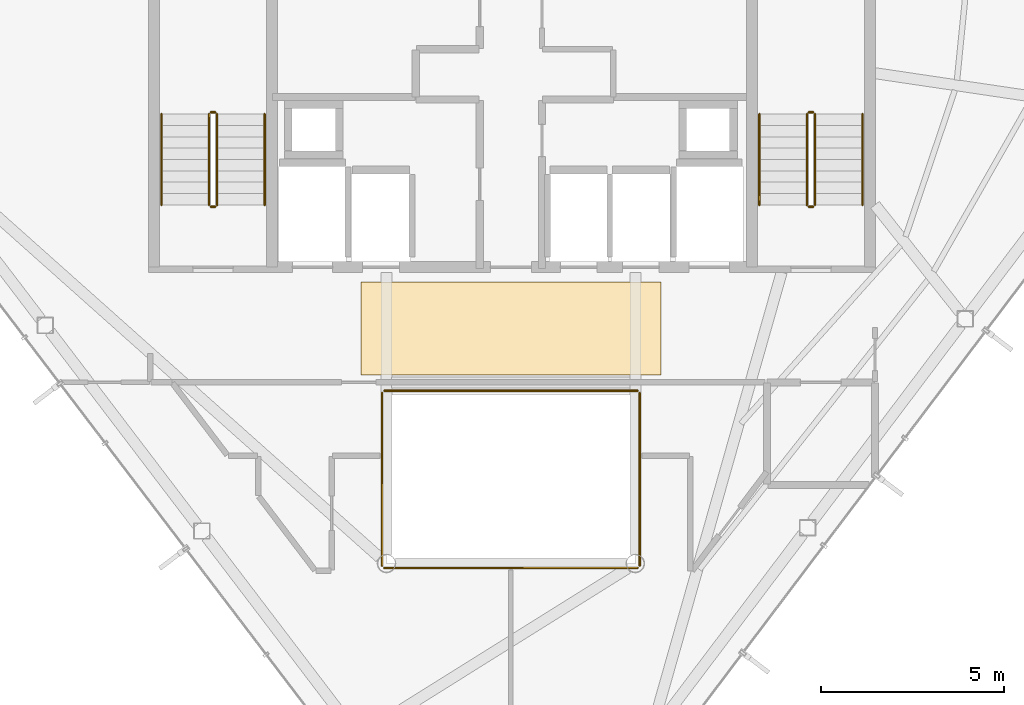
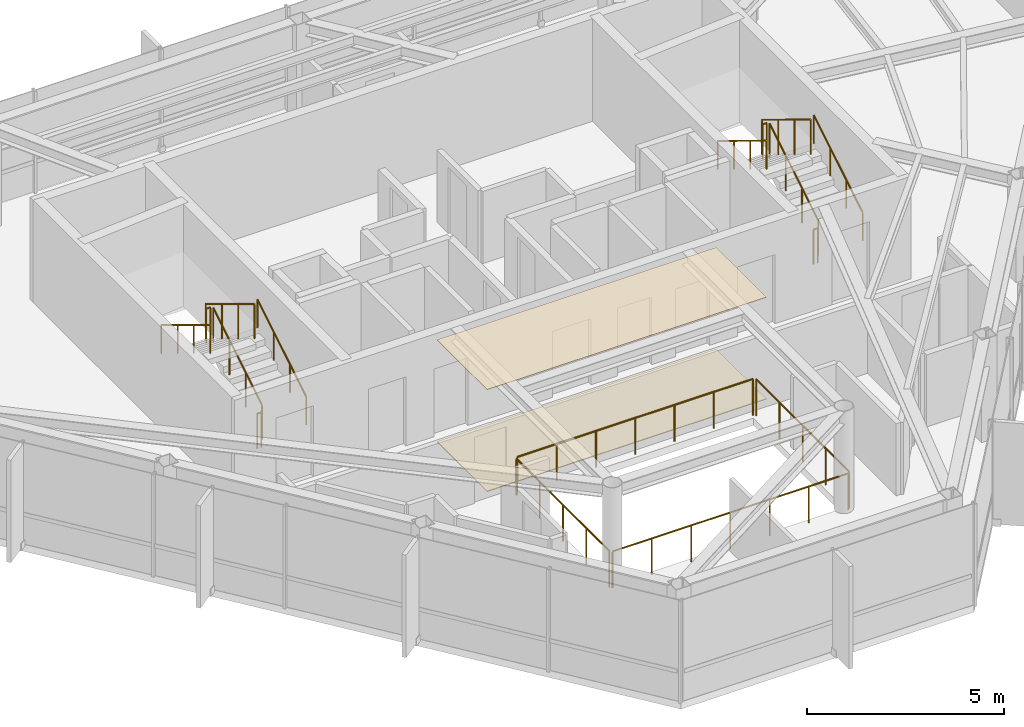
# One storey, part 23 of 23: 16 railings, 2 coverings.
"""IFC4 building model written with IfcOpenShell, lengths in metres."""

from ifc_helpers import new_model, si_unit, direction, frame, origin, origin_2d, place, context, subcontext, project, spatial, polyline, circle, outline, extrude, material, layer, layer_set, type_object, element, save


model = new_model("IFC4")

# Units and contexts
model_context = context("Model", 3, precision=1e-05, world=origin(), true_north=direction((0.0, 1.0)))
body_context = subcontext(model_context, "Body", "Model", "MODEL_VIEW")
ifc_project = project(units=[si_unit("LENGTHUNIT", "METRE"), si_unit("AREAUNIT", "SQUARE_METRE"), si_unit("VOLUMEUNIT", "CUBIC_METRE"), si_unit("PLANEANGLEUNIT", "RADIAN"), si_unit("MASSUNIT", "GRAM", prefix="KILO")], contexts=[model_context])

# Site, building, storey
site_placement = place(None, origin())
site = spatial("IfcSite", under=ifc_project, at=site_placement, CompositionType="ELEMENT")
building_placement = place(site_placement, origin())
building = spatial("IfcBuilding", under=site, at=building_placement, Name="Zarrinselat Tower", CompositionType="ELEMENT")
storey_placement = place(building_placement, frame((0.0, 0.0, 282.199951171875)))
storey = spatial("IfcBuildingStorey", under=building, at=storey_placement, Name="L72", CompositionType="ELEMENT", Elevation=282.199951171875)

# Coverings
ifc_material_1 = material(Name="Fire-Rated Gypsum Board Partition")
ifc_layer_1 = layer(ifc_material_1, 0.014892578125)
ifc_layer_set_1 = layer_set([ifc_layer_1], Name="Fire-Rated Gypsum Board Partition")
covering_type_1 = type_object("IfcCoveringType", Name="COV-CLG-AC15", PredefinedType="CEILING", material=ifc_layer_set_1)
covering_1_placement = place(storey_placement, frame((0.0, 0.0, 3.1650390625)))
element("IfcCovering", 1, at=covering_1_placement, inside=storey, type_object=covering_type_1, Name="L72 Lift Lobby Acoustic Ceiling", PredefinedType="CEILING", context=body_context, shape_type="SweptSolid", body=[
    extrude(outline(polyline([(34.300048828125, 30.35009765625), (42.5, 30.35009765625), (42.5, 32.89990234375), (34.300048828125, 32.89990234375), (34.300048828125, 30.35009765625)])), origin(), (0.0, 0.0, 1.0), 0.014892578125),
])
ifc_material_2 = material(Name="Honed Cream Travertine Stone", Category="masonry")
ifc_layer_2 = layer(ifc_material_2, 0.02490234375)
ifc_layer_set_2 = layer_set([ifc_layer_2], Name="Honed Cream Travertine Stone")
covering_type_2 = type_object("IfcCoveringType", Name="COV-FLR-ST25", PredefinedType="FLOORING", material=ifc_layer_set_2)
covering_2_placement = place(storey_placement, origin())
element("IfcCovering", 2, at=covering_2_placement, inside=storey, type_object=covering_type_2, Name="L72 Lift Lobby Stone Flooring", PredefinedType="FLOORING", context=body_context, shape_type="SweptSolid", body=[
    extrude(outline(polyline([(34.300048828125, 30.35009765625), (42.5, 30.35009765625), (42.5, 32.89990234375), (34.300048828125, 32.89990234375), (34.300048828125, 30.35009765625)])), origin(), (0.0, 0.0, 1.0), 0.025146484375),
])

# Railings
ifc_material_3 = material(Name="Double Low-E Laminated Solar Glass", Category="glass")
railing_type_1 = type_object("IfcRailingType", Name="RLG-ATRIUM-BAL", PredefinedType="BALUSTRADE", material=ifc_material_3)
railing_1_placement = place(storey_placement, frame((34.93994140625, 25.080078125, 0.0)))
element("IfcRailing", 3, at=railing_1_placement, inside=storey, type_object=railing_type_1, Name="L72 Atrium Void Glass Balustrade S", PredefinedType="BALUSTRADE", context=body_context, shape_type="SweptSolid", body=[
    extrude(circle(Radius=0.02392578125, at=origin_2d()), frame((0.0, 0.0, 1.1259765625), z_axis=(1.0, 0.0, 0.0), x_axis=(0.0, 1.0, 0.0)), (0.0, 0.0, 1.0), 6.920166015625),
    extrude(circle(Radius=0.02099609375, at=origin_2d()), origin(), (0.0, 0.0, 1.0), 1.099853515625),
    extrude(circle(Radius=0.02099609375, at=origin_2d()), frame((1.1533203125, 0.0, 0.0)), (0.0, 0.0, 1.0), 1.099853515625),
    extrude(circle(Radius=0.02099609375, at=origin_2d()), frame((2.306640625, 0.0, 0.0)), (0.0, 0.0, 1.0), 1.099853515625),
    extrude(circle(Radius=0.02099609375, at=origin_2d()), frame((3.4599609375, 0.0, 0.0)), (0.0, 0.0, 1.0), 1.099853515625),
    extrude(circle(Radius=0.02099609375, at=origin_2d()), frame((4.613525390625, 0.0, 0.0)), (0.0, 0.0, 1.0), 1.099853515625),
    extrude(circle(Radius=0.02099609375, at=origin_2d()), frame((5.766845703125, 0.0, 0.0)), (0.0, 0.0, 1.0), 1.099853515625),
    extrude(circle(Radius=0.02099609375, at=origin_2d()), frame((6.920166015625, 0.0, 0.0)), (0.0, 0.0, 1.0), 1.099853515625),
])
railing_2_placement = place(storey_placement, frame((41.919921875, 25.139892578125, 0.0)))
element("IfcRailing", 4, at=railing_2_placement, inside=storey, type_object=railing_type_1, Name="L72 Atrium Void Glass Balustrade E", PredefinedType="BALUSTRADE", context=body_context, shape_type="SweptSolid", body=[
    extrude(circle(Radius=0.02392578125, at=origin_2d()), frame((0.0, 0.0, 1.1259765625), z_axis=(0.0, 1.0, 0.0), x_axis=(-1.0, 0.0, 0.0)), (0.0, 0.0, 1.0), 4.72021484375),
    extrude(circle(Radius=0.02099609375, at=origin_2d()), origin(), (0.0, 0.0, 1.0), 1.099853515625),
    extrude(circle(Radius=0.02099609375, at=origin_2d()), frame((0.0, 1.18017578125, 0.0)), (0.0, 0.0, 1.0), 1.099853515625),
    extrude(circle(Radius=0.02099609375, at=origin_2d()), frame((0.0, 2.360107421875, 0.0)), (0.0, 0.0, 1.0), 1.099853515625),
    extrude(circle(Radius=0.02099609375, at=origin_2d()), frame((0.0, 3.5400390625, 0.0)), (0.0, 0.0, 1.0), 1.099853515625),
    extrude(circle(Radius=0.02099609375, at=origin_2d()), frame((0.0, 4.72021484375, 0.0)), (0.0, 0.0, 1.0), 1.099853515625),
])
railing_3_placement = place(storey_placement, frame((41.860107421875, 29.919921875, 0.0)))
element("IfcRailing", 5, at=railing_3_placement, inside=storey, type_object=railing_type_1, Name="L72 Atrium Void Glass Balustrade N", PredefinedType="BALUSTRADE", context=body_context, shape_type="SweptSolid", body=[
    extrude(circle(Radius=0.02392578125, at=origin_2d()), frame((0.0, 0.0, 1.1259765625), z_axis=(-1.0, 0.0, 0.0), x_axis=(0.0, -1.0, 0.0)), (0.0, 0.0, 1.0), 6.920166015625),
    extrude(circle(Radius=0.02099609375, at=origin_2d()), origin(), (0.0, 0.0, 1.0), 1.099853515625),
    extrude(circle(Radius=0.02099609375, at=origin_2d()), frame((-1.1533203125, 0.0, 0.0)), (0.0, 0.0, 1.0), 1.099853515625),
    extrude(circle(Radius=0.02099609375, at=origin_2d()), frame((-2.306640625, 0.0, 0.0)), (0.0, 0.0, 1.0), 1.099853515625),
    extrude(circle(Radius=0.02099609375, at=origin_2d()), frame((-3.4599609375, 0.0, 0.0)), (0.0, 0.0, 1.0), 1.099853515625),
    extrude(circle(Radius=0.02099609375, at=origin_2d()), frame((-4.613525390625, 0.0, 0.0)), (0.0, 0.0, 1.0), 1.099853515625),
    extrude(circle(Radius=0.02099609375, at=origin_2d()), frame((-5.766845703125, 0.0, 0.0)), (0.0, 0.0, 1.0), 1.099853515625),
    extrude(circle(Radius=0.02099609375, at=origin_2d()), frame((-6.920166015625, 0.0, 0.0)), (0.0, 0.0, 1.0), 1.099853515625),
])
railing_4_placement = place(storey_placement, frame((34.8798828125, 29.860107421875, 0.0)))
element("IfcRailing", 6, at=railing_4_placement, inside=storey, type_object=railing_type_1, Name="L72 Atrium Void Glass Balustrade W", PredefinedType="BALUSTRADE", context=body_context, shape_type="SweptSolid", body=[
    extrude(circle(Radius=0.02392578125, at=origin_2d()), frame((0.0, 0.0, 1.1259765625), z_axis=(0.0, -1.0, 0.0), x_axis=(1.0, 0.0, 0.0)), (0.0, 0.0, 1.0), 4.72021484375),
    extrude(circle(Radius=0.02099609375, at=origin_2d()), origin(), (0.0, 0.0, 1.0), 1.099853515625),
    extrude(circle(Radius=0.02099609375, at=origin_2d()), frame((0.0, -1.18017578125, 0.0)), (0.0, 0.0, 1.0), 1.099853515625),
    extrude(circle(Radius=0.02099609375, at=origin_2d()), frame((0.0, -2.360107421875, 0.0)), (0.0, 0.0, 1.0), 1.099853515625),
    extrude(circle(Radius=0.02099609375, at=origin_2d()), frame((0.0, -3.5400390625, 0.0)), (0.0, 0.0, 1.0), 1.099853515625),
    extrude(circle(Radius=0.02099609375, at=origin_2d()), frame((0.0, -4.72021484375, 0.0)), (0.0, 0.0, 1.0), 1.099853515625),
])
ifc_material_4 = material(Name="Steel S355J2", Category="steel")
railing_type_2 = type_object("IfcRailingType", Name="RLG-STAIR-GUARD", PredefinedType="GUARDRAIL", material=ifc_material_4)
railing_5_placement = place(storey_placement, frame((30.3701171875, 35.0, 0.18896484375)))
element("IfcRailing", 7, at=railing_5_placement, inside=storey, type_object=railing_type_2, Name="L72 ST-1 stair guard 1", PredefinedType="GUARDRAIL", context=body_context, shape_type="SweptSolid", body=[
    extrude(circle(Radius=0.02392578125, at=origin_2d()), frame((0.0, 0.0, 1.076171875), z_axis=(0.0, 0.8539793189, 0.520306950647), x_axis=(-1.0, 0.0, 0.0)), (0.0, 0.0, 1.0), 2.904052734375),
    extrude(circle(Radius=0.02099609375, at=origin_2d()), origin(), (0.0, 0.0, 1.0), 1.050048828125),
    extrude(circle(Radius=0.02099609375, at=origin_2d()), frame((0.0, 0.82666015625, 0.503662109375)), (0.0, 0.0, 1.0), 1.050048828125),
    extrude(circle(Radius=0.02099609375, at=origin_2d()), frame((0.0, 1.6533203125, 1.00732421875)), (0.0, 0.0, 1.0), 1.050048828125),
    extrude(circle(Radius=0.02099609375, at=origin_2d()), frame((0.0, 2.47998046875, 1.510986328125)), (0.0, 0.0, 1.0), 1.050048828125),
])
railing_6_placement = place(storey_placement, frame((30.320068359375, 37.530029296875, 1.699951171875)))
element("IfcRailing", 8, at=railing_6_placement, inside=storey, type_object=railing_type_2, Name="L72 ST-1 stair guard 2", PredefinedType="GUARDRAIL", context=body_context, shape_type="SweptSolid", body=[
    extrude(circle(Radius=0.02392578125, at=origin_2d()), frame((0.0, 0.0, 1.076171875), z_axis=(-1.0, 0.0, 0.0), x_axis=(0.0, -1.0, 0.0)), (0.0, 0.0, 1.0), 0.1201171875),
    extrude(circle(Radius=0.02099609375, at=origin_2d()), origin(), (0.0, 0.0, 1.0), 1.050048828125),
    extrude(circle(Radius=0.02099609375, at=origin_2d()), frame((-0.1201171875, 0.0, 0.0)), (0.0, 0.0, 1.0), 1.050048828125),
])
railing_7_placement = place(storey_placement, frame((30.14990234375, 37.47998046875, 1.888916015625)))
element("IfcRailing", 9, at=railing_7_placement, inside=storey, type_object=railing_type_2, Name="L72 ST-1 stair guard 3", PredefinedType="GUARDRAIL", context=body_context, shape_type="SweptSolid", body=[
    extrude(circle(Radius=0.02392578125, at=origin_2d()), frame((0.0, 0.0, 1.076171875), z_axis=(0.0, -0.853941963558, 0.520368256982), x_axis=(1.0, 0.0, 0.0)), (0.0, 0.0, 1.0), 2.904052734375),
    extrude(circle(Radius=0.02099609375, at=origin_2d()), origin(), (0.0, 0.0, 1.0), 1.050048828125),
    extrude(circle(Radius=0.02099609375, at=origin_2d()), frame((0.0, -0.82666015625, 0.503662109375)), (0.0, 0.0, 1.0), 1.050048828125),
    extrude(circle(Radius=0.02099609375, at=origin_2d()), frame((0.0, -1.6533203125, 1.007568359375)), (0.0, 0.0, 1.0), 1.050048828125),
    extrude(circle(Radius=0.02099609375, at=origin_2d()), frame((0.0, -2.47998046875, 1.51123046875)), (0.0, 0.0, 1.0), 1.050048828125),
])
railing_8_placement = place(storey_placement, frame((30.320068359375, 34.949951171875, 0.0)))
element("IfcRailing", 10, at=railing_8_placement, inside=storey, type_object=railing_type_2, Name="L72 ST-1 stair guard 4", PredefinedType="GUARDRAIL", context=body_context, shape_type="SweptSolid", body=[
    extrude(circle(Radius=0.02392578125, at=origin_2d()), frame((0.0, 0.0, 1.076171875), z_axis=(-1.0, 0.0, 0.0), x_axis=(0.0, -1.0, 0.0)), (0.0, 0.0, 1.0), 0.1201171875),
    extrude(circle(Radius=0.02099609375, at=origin_2d()), origin(), (0.0, 0.0, 1.0), 1.050048828125),
    extrude(circle(Radius=0.02099609375, at=origin_2d()), frame((-0.1201171875, 0.0, 0.0)), (0.0, 0.0, 1.0), 1.050048828125),
])
railing_9_placement = place(storey_placement, frame((46.7099609375, 35.0, 0.18896484375)))
element("IfcRailing", 11, at=railing_9_placement, inside=storey, type_object=railing_type_2, Name="L72 ST-2 stair guard 1", PredefinedType="GUARDRAIL", context=body_context, shape_type="SweptSolid", body=[
    extrude(circle(Radius=0.02392578125, at=origin_2d()), frame((0.0, 0.0, 1.076171875), z_axis=(0.0, 0.8539793189, 0.520306950647), x_axis=(-1.0, 0.0, 0.0)), (0.0, 0.0, 1.0), 2.904052734375),
    extrude(circle(Radius=0.02099609375, at=origin_2d()), origin(), (0.0, 0.0, 1.0), 1.050048828125),
    extrude(circle(Radius=0.02099609375, at=origin_2d()), frame((0.0, 0.82666015625, 0.503662109375)), (0.0, 0.0, 1.0), 1.050048828125),
    extrude(circle(Radius=0.02099609375, at=origin_2d()), frame((0.0, 1.6533203125, 1.00732421875)), (0.0, 0.0, 1.0), 1.050048828125),
    extrude(circle(Radius=0.02099609375, at=origin_2d()), frame((0.0, 2.47998046875, 1.510986328125)), (0.0, 0.0, 1.0), 1.050048828125),
])
railing_10_placement = place(storey_placement, frame((46.659912109375, 37.530029296875, 1.699951171875)))
element("IfcRailing", 12, at=railing_10_placement, inside=storey, type_object=railing_type_2, Name="L72 ST-2 stair guard 2", PredefinedType="GUARDRAIL", context=body_context, shape_type="SweptSolid", body=[
    extrude(circle(Radius=0.02392578125, at=origin_2d()), frame((0.0, 0.0, 1.076171875), z_axis=(-1.0, 0.0, 0.0), x_axis=(0.0, -1.0, 0.0)), (0.0, 0.0, 1.0), 0.119873046875),
    extrude(circle(Radius=0.02099609375, at=origin_2d()), origin(), (0.0, 0.0, 1.0), 1.050048828125),
    extrude(circle(Radius=0.02099609375, at=origin_2d()), frame((-0.119873046875, 0.0, 0.0)), (0.0, 0.0, 1.0), 1.050048828125),
])
railing_11_placement = place(storey_placement, frame((46.489990234375, 37.47998046875, 1.888916015625)))
element("IfcRailing", 13, at=railing_11_placement, inside=storey, type_object=railing_type_2, Name="L72 ST-2 stair guard 3", PredefinedType="GUARDRAIL", context=body_context, shape_type="SweptSolid", body=[
    extrude(circle(Radius=0.02392578125, at=origin_2d()), frame((0.0, 0.0, 1.076171875), z_axis=(0.0, -0.853941963558, 0.520368256982), x_axis=(1.0, 0.0, 0.0)), (0.0, 0.0, 1.0), 2.904052734375),
    extrude(circle(Radius=0.02099609375, at=origin_2d()), origin(), (0.0, 0.0, 1.0), 1.050048828125),
    extrude(circle(Radius=0.02099609375, at=origin_2d()), frame((0.0, -0.82666015625, 0.503662109375)), (0.0, 0.0, 1.0), 1.050048828125),
    extrude(circle(Radius=0.02099609375, at=origin_2d()), frame((0.0, -1.6533203125, 1.007568359375)), (0.0, 0.0, 1.0), 1.050048828125),
    extrude(circle(Radius=0.02099609375, at=origin_2d()), frame((0.0, -2.47998046875, 1.51123046875)), (0.0, 0.0, 1.0), 1.050048828125),
])
railing_12_placement = place(storey_placement, frame((46.659912109375, 34.949951171875, 0.0)))
element("IfcRailing", 14, at=railing_12_placement, inside=storey, type_object=railing_type_2, Name="L72 ST-2 stair guard 4", PredefinedType="GUARDRAIL", context=body_context, shape_type="SweptSolid", body=[
    extrude(circle(Radius=0.02392578125, at=origin_2d()), frame((0.0, 0.0, 1.076171875), z_axis=(-1.0, 0.0, 0.0), x_axis=(0.0, -1.0, 0.0)), (0.0, 0.0, 1.0), 0.119873046875),
    extrude(circle(Radius=0.02099609375, at=origin_2d()), origin(), (0.0, 0.0, 1.0), 1.050048828125),
    extrude(circle(Radius=0.02099609375, at=origin_2d()), frame((-0.119873046875, 0.0, 0.0)), (0.0, 0.0, 1.0), 1.050048828125),
])
ifc_material_5 = material(Name="Steel S355J2", Category="steel")
railing_type_3 = type_object("IfcRailingType", Name="RLG-STAIR-HAND", PredefinedType="HANDRAIL", material=ifc_material_5)
railing_13_placement = place(storey_placement, frame((31.669921875, 35.0, 0.18896484375)))
element("IfcRailing", 15, at=railing_13_placement, inside=storey, type_object=railing_type_3, Name="L72 ST-1 stair handrail 1", PredefinedType="HANDRAIL", context=body_context, shape_type="SweptSolid", body=[
    extrude(circle(Radius=0.02392578125, at=origin_2d()), frame((0.0, 0.0, 0.8759765625), z_axis=(0.0, 0.8539793189, 0.520306950647), x_axis=(-1.0, 0.0, 0.0)), (0.0, 0.0, 1.0), 2.904052734375),
    extrude(circle(Radius=0.02099609375, at=origin_2d()), origin(), (0.0, 0.0, 1.0), 0.849853515625),
    extrude(circle(Radius=0.02099609375, at=origin_2d()), frame((0.0, 0.82666015625, 0.503662109375)), (0.0, 0.0, 1.0), 0.849853515625),
    extrude(circle(Radius=0.02099609375, at=origin_2d()), frame((0.0, 1.6533203125, 1.00732421875)), (0.0, 0.0, 1.0), 0.849853515625),
    extrude(circle(Radius=0.02099609375, at=origin_2d()), frame((0.0, 2.47998046875, 1.510986328125)), (0.0, 0.0, 1.0), 0.849853515625),
])
railing_14_placement = place(storey_placement, frame((28.85009765625, 37.47998046875, 1.888916015625)))
element("IfcRailing", 16, at=railing_14_placement, inside=storey, type_object=railing_type_3, Name="L72 ST-1 stair handrail 2", PredefinedType="HANDRAIL", context=body_context, shape_type="SweptSolid", body=[
    extrude(circle(Radius=0.02392578125, at=origin_2d()), frame((0.0, 0.0, 0.8759765625), z_axis=(0.0, -0.853941963558, 0.520368256982), x_axis=(1.0, 0.0, 0.0)), (0.0, 0.0, 1.0), 2.904052734375),
    extrude(circle(Radius=0.02099609375, at=origin_2d()), origin(), (0.0, 0.0, 1.0), 0.849853515625),
    extrude(circle(Radius=0.02099609375, at=origin_2d()), frame((0.0, -0.82666015625, 0.503662109375)), (0.0, 0.0, 1.0), 0.849853515625),
    extrude(circle(Radius=0.02099609375, at=origin_2d()), frame((0.0, -1.6533203125, 1.007568359375)), (0.0, 0.0, 1.0), 0.849853515625),
    extrude(circle(Radius=0.02099609375, at=origin_2d()), frame((0.0, -2.47998046875, 1.51123046875)), (0.0, 0.0, 1.0), 0.849853515625),
])
railing_15_placement = place(storey_placement, frame((48.010009765625, 35.0, 0.18896484375)))
element("IfcRailing", 17, at=railing_15_placement, inside=storey, type_object=railing_type_3, Name="L72 ST-2 stair handrail 1", PredefinedType="HANDRAIL", context=body_context, shape_type="SweptSolid", body=[
    extrude(circle(Radius=0.02392578125, at=origin_2d()), frame((0.0, 0.0, 0.8759765625), z_axis=(0.0, 0.8539793189, 0.520306950647), x_axis=(-1.0, 0.0, 0.0)), (0.0, 0.0, 1.0), 2.904052734375),
    extrude(circle(Radius=0.02099609375, at=origin_2d()), origin(), (0.0, 0.0, 1.0), 0.849853515625),
    extrude(circle(Radius=0.02099609375, at=origin_2d()), frame((0.0, 0.82666015625, 0.503662109375)), (0.0, 0.0, 1.0), 0.849853515625),
    extrude(circle(Radius=0.02099609375, at=origin_2d()), frame((0.0, 1.6533203125, 1.00732421875)), (0.0, 0.0, 1.0), 0.849853515625),
    extrude(circle(Radius=0.02099609375, at=origin_2d()), frame((0.0, 2.47998046875, 1.510986328125)), (0.0, 0.0, 1.0), 0.849853515625),
])
railing_16_placement = place(storey_placement, frame((45.18994140625, 37.47998046875, 1.888916015625)))
element("IfcRailing", 18, at=railing_16_placement, inside=storey, type_object=railing_type_3, Name="L72 ST-2 stair handrail 2", PredefinedType="HANDRAIL", context=body_context, shape_type="SweptSolid", body=[
    extrude(circle(Radius=0.02392578125, at=origin_2d()), frame((0.0, 0.0, 0.8759765625), z_axis=(0.0, -0.853941963558, 0.520368256982), x_axis=(1.0, 0.0, 0.0)), (0.0, 0.0, 1.0), 2.904052734375),
    extrude(circle(Radius=0.02099609375, at=origin_2d()), origin(), (0.0, 0.0, 1.0), 0.849853515625),
    extrude(circle(Radius=0.02099609375, at=origin_2d()), frame((0.0, -0.82666015625, 0.503662109375)), (0.0, 0.0, 1.0), 0.849853515625),
    extrude(circle(Radius=0.02099609375, at=origin_2d()), frame((0.0, -1.6533203125, 1.007568359375)), (0.0, 0.0, 1.0), 0.849853515625),
    extrude(circle(Radius=0.02099609375, at=origin_2d()), frame((0.0, -2.47998046875, 1.51123046875)), (0.0, 0.0, 1.0), 0.849853515625),
])

save(model, "model.ifc")
